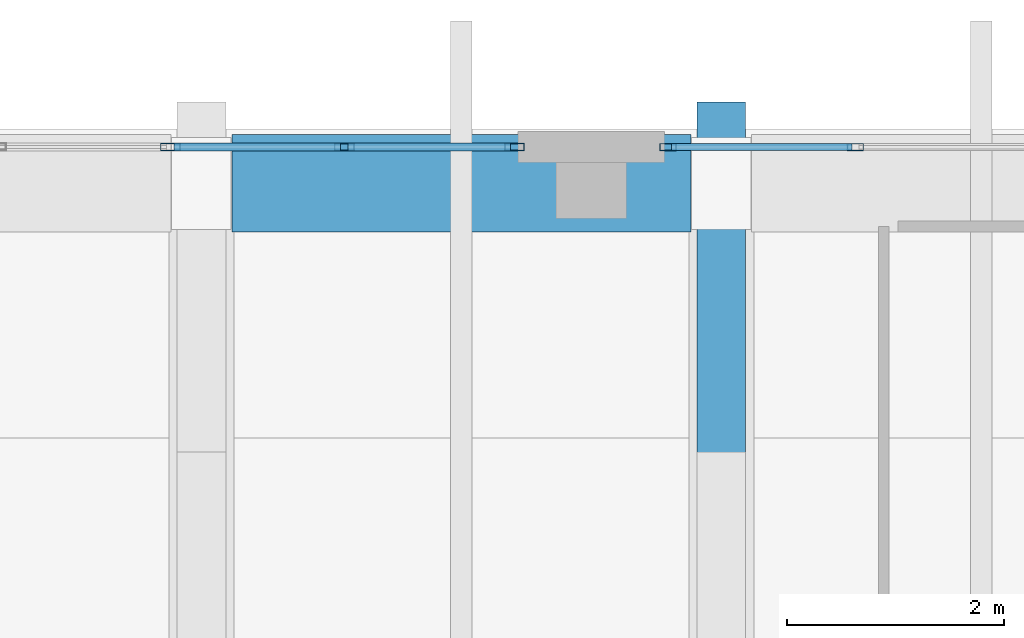
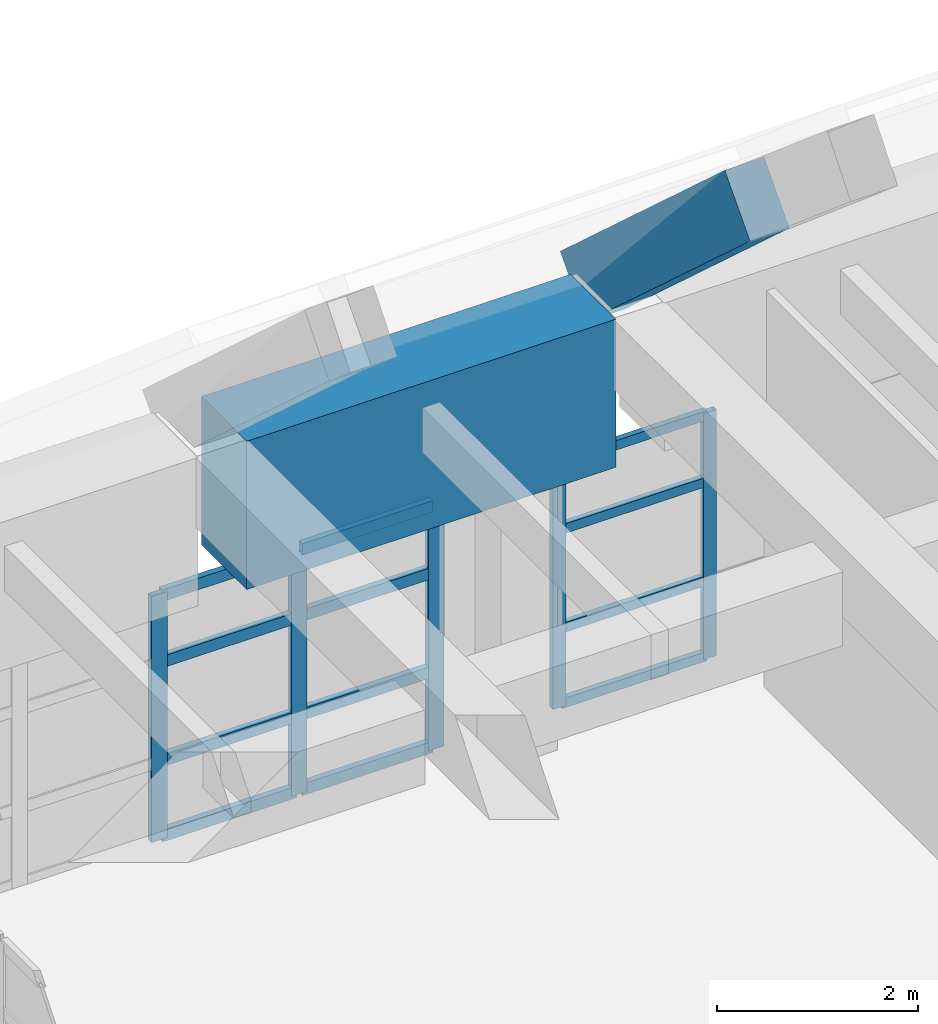
# One storey, part 38 of 78: 17 members, 2 beams, 2 elements without a shape of their own.
"""IFC4 building model written with IfcOpenShell, lengths in metres."""

from ifc_helpers import new_model, si_unit, direction, frame, origin, origin_2d, place, context, subcontext, project, spatial, rectangle, hollow_rectangle, extrude, material, layer, layer_set, material_profile, profile_set, type_object, element, aggregate, save


model = new_model("IFC4")

# Units and contexts
model_context = context("Model", 3, precision=1e-05, world=origin(), true_north=direction((0.0, 1.0)))
body_context = subcontext(model_context, "Body", "Model", "MODEL_VIEW")
ifc_project = project(units=[si_unit("LENGTHUNIT", "METRE"), si_unit("AREAUNIT", "SQUARE_METRE"), si_unit("VOLUMEUNIT", "CUBIC_METRE"), si_unit("PLANEANGLEUNIT", "RADIAN"), si_unit("MASSUNIT", "GRAM", prefix="KILO")], contexts=[model_context])

# Site, building, storey
site_placement = place(None, origin())
site = spatial("IfcSite", under=ifc_project, at=site_placement, CompositionType="ELEMENT")
building_placement = place(site_placement, origin())
building = spatial("IfcBuilding", under=site, at=building_placement, Name="Quendrovan Civic Courthouse", CompositionType="ELEMENT")
storey_placement = place(building_placement, frame((0.0, 0.0, 20.39990234375)))
storey = spatial("IfcBuildingStorey", under=building, at=storey_placement, Name="L05", CompositionType="ELEMENT", Elevation=20.39990234375)

# Beams
ifc_material_1 = material(Name="Concrete C45/55", Category="concrete")
ifc_material_profile_1 = material_profile(ifc_material_1, rectangle(XDim=0.89990234375, YDim=1.800048828125, at=origin_2d()), Name="RC-TG-900x1800")
ifc_profile_set_1 = profile_set([ifc_material_profile_1], Name="Concrete C45/55")
beam_type_1 = type_object("IfcBeamType", Name="BM-TG1800", PredefinedType="BEAM", material=ifc_profile_set_1)
beam_1_placement = place(storey_placement, frame((114.280029296875, 109.89990234375, 4.2001953125), z_axis=(1.0, 0.0, 0.0), x_axis=(0.0, 1.0, 0.0)))
element("IfcBeam", 1, at=beam_1_placement, inside=storey, type_object=beam_type_1, Name="BV1 Springing Collector Girder N-2", PredefinedType="BEAM", context=body_context, shape_type="SweptSolid", body=[
    extrude(rectangle(XDim=0.89990234375, YDim=1.800048828125, at=origin_2d()), origin(), (0.0, 0.0, 1.0), 4.239990234375),
])
ifc_material_2 = material(Name="Concrete C40/50", Category="concrete")
ifc_material_profile_2 = material_profile(ifc_material_2, rectangle(XDim=0.449951171875, YDim=0.75, at=origin_2d()), Name="RC-VRIB-450x750")
ifc_profile_set_2 = profile_set([ifc_material_profile_2], Name="Concrete C40/50")
beam_type_2 = type_object("IfcBeamType", Name="BM-VRIB750", PredefinedType="BEAM", material=ifc_profile_set_2)
beam_2_placement = place(storey_placement, frame((118.800048828125, 107.123291015625, 7.871826171875), z_axis=(0.0, 0.740733725172, -0.671798740988), x_axis=(-1.0, 0.0, 0.0)))
element("IfcBeam", 2, at=beam_2_placement, inside=storey, type_object=beam_type_2, Name="BV1 Concrete Vault Arch Rib A3-C8", PredefinedType="BEAM", context=body_context, shape_type="SweptSolid", body=[
    extrude(rectangle(XDim=0.449951171875, YDim=0.75, at=origin_2d()), origin(), (0.0, 0.0, 1.0), 4.423583984375),
])

# Curtain wall, members
ifc_material_3 = material(Name="Bronze anodised aluminium and low-E glass", Category="aluminium")
ifc_layer_1 = layer(ifc_material_3, 0.179931640625, Name="Bronze anodised aluminium and low-E glass")
ifc_layer_set_1 = layer_set([ifc_layer_1], Name="Bronze anodised aluminium and low-E glass")
curtain_wall_type_1 = type_object("IfcCurtainWallType", Name="CW-U64x30", PredefinedType="USERDEFINED", material=ifc_layer_set_1)
curtain_wall_1_placement = place(storey_placement, origin())
curtain_wall_1 = element("IfcCurtainWall", 3, at=curtain_wall_1_placement, inside=storey, type_object=curtain_wall_type_1, Name="L05 Unitised Hurricane Curtain Wall CW-192", ObjectType="UNITISED CURTAIN WALL", PredefinedType="USERDEFINED")
ifc_material_4 = material(Name="Bronze anodised aluminium", Category="aluminium")
ifc_material_profile_3 = material_profile(ifc_material_4, hollow_rectangle(XDim=0.070068359375, YDim=0.179931640625, WallThickness=0.00390625, at=origin_2d()), Name="CW-MULL-70x180")
ifc_profile_set_3 = profile_set([ifc_material_profile_3], Name="Bronze anodised aluminium")
member_type_1 = type_object("IfcMemberType", Name="CW-MULL-A", PredefinedType="MULLION", material=ifc_profile_set_3)
member_1_placement = place(storey_placement, frame((113.71240234375, 110.235107421875, 0.0), z_axis=(0.0, 0.0, 1.0), x_axis=(0.0, 1.0, 0.0)))
member_1 = element("IfcMember", 4, at=member_1_placement, type_object=member_type_1, Name="CW-192 mullion 3", PredefinedType="MULLION", context=body_context, shape_type="SweptSolid", body=[
    extrude(hollow_rectangle(XDim=0.070068359375, YDim=0.179931640625, WallThickness=0.00390625, at=origin_2d()), origin(), (0.0, 0.0, 1.0), 2.989990234375),
])
member_2_placement = place(storey_placement, frame((115.31884765625, 110.235107421875, 0.0), z_axis=(0.0, 0.0, 1.0), x_axis=(0.0, 1.0, 0.0)))
member_2 = element("IfcMember", 5, at=member_2_placement, type_object=member_type_1, Name="CW-192 mullion 4", PredefinedType="MULLION", context=body_context, shape_type="SweptSolid", body=[
    extrude(hollow_rectangle(XDim=0.070068359375, YDim=0.179931640625, WallThickness=0.00390625, at=origin_2d()), origin(), (0.0, 0.0, 1.0), 2.989990234375),
])
member_3_placement = place(storey_placement, frame((116.889892578125, 110.235107421875, 0.0), z_axis=(0.0, 0.0, 1.0), x_axis=(0.0, 1.0, 0.0)))
member_3 = element("IfcMember", 6, at=member_3_placement, type_object=member_type_1, Name="CW-192 mullion 5", PredefinedType="MULLION", context=body_context, shape_type="SweptSolid", body=[
    extrude(hollow_rectangle(XDim=0.070068359375, YDim=0.179931640625, WallThickness=0.00390625, at=origin_2d()), origin(), (0.0, 0.0, 1.0), 2.989990234375),
])

ifc_layer_2 = layer(ifc_material_3, 0.179931640625, Name="Bronze anodised aluminium and low-E glass")
ifc_layer_set_2 = layer_set([ifc_layer_2], Name="Bronze anodised aluminium and low-E glass")
curtain_wall_type_2 = type_object("IfcCurtainWallType", Name="CW-U70x30", PredefinedType="USERDEFINED", material=ifc_layer_set_2)
curtain_wall_2_placement = place(storey_placement, origin())
curtain_wall_2 = element("IfcCurtainWall", 7, at=curtain_wall_2_placement, inside=storey, type_object=curtain_wall_type_2, Name="L05 Unitised Hurricane Curtain Wall CW-193", ObjectType="UNITISED CURTAIN WALL", PredefinedType="USERDEFINED")
ifc_material_profile_4 = material_profile(ifc_material_4, hollow_rectangle(XDim=0.06494140625, YDim=0.14990234375, WallThickness=0.00390625, at=origin_2d()), Name="CW-MULL-65x150")
ifc_profile_set_4 = profile_set([ifc_material_profile_4], Name="Bronze anodised aluminium")
member_type_2 = type_object("IfcMemberType", Name="CW-MULL-B", PredefinedType="MULLION", material=ifc_profile_set_4)
member_4_placement = place(storey_placement, frame((118.3076171875, 110.235107421875, 0.0), z_axis=(0.0, 0.0, 1.0), x_axis=(0.0, 1.0, 0.0)))
member_4 = element("IfcMember", 8, at=member_4_placement, type_object=member_type_2, Name="CW-193 mullion 1", PredefinedType="MULLION", context=body_context, shape_type="SweptSolid", body=[
    extrude(hollow_rectangle(XDim=0.06494140625, YDim=0.14990234375, WallThickness=0.00390625, at=origin_2d()), origin(), (0.0, 0.0, 1.0), 2.989990234375),
])
member_5_placement = place(storey_placement, frame((120.03759765625, 110.235107421875, 0.0), z_axis=(0.0, 0.0, 1.0), x_axis=(0.0, 1.0, 0.0)))
member_5 = element("IfcMember", 9, at=member_5_placement, type_object=member_type_2, Name="CW-193 mullion 2", PredefinedType="MULLION", context=body_context, shape_type="SweptSolid", body=[
    extrude(hollow_rectangle(XDim=0.06494140625, YDim=0.14990234375, WallThickness=0.00390625, at=origin_2d()), origin(), (0.0, 0.0, 1.0), 2.989990234375),
])

# Member
ifc_material_profile_5 = material_profile(ifc_material_4, hollow_rectangle(XDim=0.070068359375, YDim=0.139892578125, WallThickness=0.00390625, at=origin_2d()), Name="CW-TRAN-70x140")
ifc_profile_set_5 = profile_set([ifc_material_profile_5], Name="Bronze anodised aluminium")
member_type_3 = type_object("IfcMemberType", Name="CW-TRAN-A", PredefinedType="USERDEFINED", material=ifc_profile_set_5)
member_6_placement = place(storey_placement, frame((113.74755859375, 110.235107421875, 0.03515625), z_axis=(1.0, 0.0, 0.0), x_axis=(0.0, 1.0, 0.0)))
member_6 = element("IfcMember", 10, at=member_6_placement, type_object=member_type_3, Name="CW-192 transom 3.1", ObjectType="TRANSOM", PredefinedType="USERDEFINED", context=body_context, shape_type="SweptSolid", body=[
    extrude(hollow_rectangle(XDim=0.070068359375, YDim=0.139892578125, WallThickness=0.00390625, at=origin_2d()), origin(), (0.0, 0.0, 1.0), 1.5361328125),
])

member_7_placement = place(storey_placement, frame((113.74755859375, 110.235107421875, 0.9501953125), z_axis=(1.0, 0.0, 0.0), x_axis=(0.0, 1.0, 0.0)))
member_7 = element("IfcMember", 11, at=member_7_placement, type_object=member_type_3, Name="CW-192 transom 3.2", ObjectType="TRANSOM", PredefinedType="USERDEFINED", context=body_context, shape_type="SweptSolid", body=[
    extrude(hollow_rectangle(XDim=0.070068359375, YDim=0.139892578125, WallThickness=0.00390625, at=origin_2d()), origin(), (0.0, 0.0, 1.0), 1.5361328125),
])

member_8_placement = place(storey_placement, frame((113.74755859375, 110.235107421875, 2.150146484375), z_axis=(1.0, 0.0, 0.0), x_axis=(0.0, 1.0, 0.0)))
member_8 = element("IfcMember", 12, at=member_8_placement, type_object=member_type_3, Name="CW-192 transom 3.3", ObjectType="TRANSOM", PredefinedType="USERDEFINED", context=body_context, shape_type="SweptSolid", body=[
    extrude(hollow_rectangle(XDim=0.070068359375, YDim=0.139892578125, WallThickness=0.00390625, at=origin_2d()), origin(), (0.0, 0.0, 1.0), 1.5361328125),
])

member_9_placement = place(storey_placement, frame((113.74755859375, 110.235107421875, 2.955078125), z_axis=(1.0, 0.0, 0.0), x_axis=(0.0, 1.0, 0.0)))
member_9 = element("IfcMember", 13, at=member_9_placement, type_object=member_type_3, Name="CW-192 transom 3.4", ObjectType="TRANSOM", PredefinedType="USERDEFINED", context=body_context, shape_type="SweptSolid", body=[
    extrude(hollow_rectangle(XDim=0.070068359375, YDim=0.139892578125, WallThickness=0.00390625, at=origin_2d()), origin(), (0.0, 0.0, 1.0), 1.5361328125),
])

member_10_placement = place(storey_placement, frame((115.353759765625, 110.235107421875, 0.03515625), z_axis=(1.0, 0.0, 0.0), x_axis=(0.0, 1.0, 0.0)))
member_10 = element("IfcMember", 14, at=member_10_placement, type_object=member_type_3, Name="CW-192 transom 4.1", ObjectType="TRANSOM", PredefinedType="USERDEFINED", context=body_context, shape_type="SweptSolid", body=[
    extrude(hollow_rectangle(XDim=0.070068359375, YDim=0.139892578125, WallThickness=0.00390625, at=origin_2d()), origin(), (0.0, 0.0, 1.0), 1.501220703125),
])

member_11_placement = place(storey_placement, frame((115.353759765625, 110.235107421875, 0.9501953125), z_axis=(1.0, 0.0, 0.0), x_axis=(0.0, 1.0, 0.0)))
member_11 = element("IfcMember", 15, at=member_11_placement, type_object=member_type_3, Name="CW-192 transom 4.2", ObjectType="TRANSOM", PredefinedType="USERDEFINED", context=body_context, shape_type="SweptSolid", body=[
    extrude(hollow_rectangle(XDim=0.070068359375, YDim=0.139892578125, WallThickness=0.00390625, at=origin_2d()), origin(), (0.0, 0.0, 1.0), 1.501220703125),
])

member_12_placement = place(storey_placement, frame((115.353759765625, 110.235107421875, 2.150146484375), z_axis=(1.0, 0.0, 0.0), x_axis=(0.0, 1.0, 0.0)))
member_12 = element("IfcMember", 16, at=member_12_placement, type_object=member_type_3, Name="CW-192 transom 4.3", ObjectType="TRANSOM", PredefinedType="USERDEFINED", context=body_context, shape_type="SweptSolid", body=[
    extrude(hollow_rectangle(XDim=0.070068359375, YDim=0.139892578125, WallThickness=0.00390625, at=origin_2d()), origin(), (0.0, 0.0, 1.0), 1.501220703125),
])

member_13_placement = place(storey_placement, frame((115.353759765625, 110.235107421875, 2.955078125), z_axis=(1.0, 0.0, 0.0), x_axis=(0.0, 1.0, 0.0)))
member_13 = element("IfcMember", 17, at=member_13_placement, type_object=member_type_3, Name="CW-192 transom 4.4", ObjectType="TRANSOM", PredefinedType="USERDEFINED", context=body_context, shape_type="SweptSolid", body=[
    extrude(hollow_rectangle(XDim=0.070068359375, YDim=0.139892578125, WallThickness=0.00390625, at=origin_2d()), origin(), (0.0, 0.0, 1.0), 1.501220703125),
])

aggregate(curtain_wall_1, [member_1, member_2, member_3, member_6, member_7, member_8, member_9, member_10, member_11, member_12, member_13])

ifc_material_profile_6 = material_profile(ifc_material_4, hollow_rectangle(XDim=0.06494140625, YDim=0.114990234375, WallThickness=0.00390625, at=origin_2d()), Name="CW-TRAN-65x115")
ifc_profile_set_6 = profile_set([ifc_material_profile_6], Name="Bronze anodised aluminium")
member_type_4 = type_object("IfcMemberType", Name="CW-TRAN-B", PredefinedType="USERDEFINED", material=ifc_profile_set_6)
member_14_placement = place(storey_placement, frame((118.340087890625, 110.235107421875, 0.03271484375), z_axis=(1.0, 0.0, 0.0), x_axis=(0.0, 1.0, 0.0)))
member_14 = element("IfcMember", 18, at=member_14_placement, type_object=member_type_4, Name="CW-193 transom 1.1", ObjectType="TRANSOM", PredefinedType="USERDEFINED", context=body_context, shape_type="SweptSolid", body=[
    extrude(hollow_rectangle(XDim=0.06494140625, YDim=0.114990234375, WallThickness=0.00390625, at=origin_2d()), origin(), (0.0, 0.0, 1.0), 1.664794921875),
])

member_15_placement = place(storey_placement, frame((118.340087890625, 110.235107421875, 0.9501953125), z_axis=(1.0, 0.0, 0.0), x_axis=(0.0, 1.0, 0.0)))
member_15 = element("IfcMember", 19, at=member_15_placement, type_object=member_type_4, Name="CW-193 transom 1.2", ObjectType="TRANSOM", PredefinedType="USERDEFINED", context=body_context, shape_type="SweptSolid", body=[
    extrude(hollow_rectangle(XDim=0.06494140625, YDim=0.114990234375, WallThickness=0.00390625, at=origin_2d()), origin(), (0.0, 0.0, 1.0), 1.664794921875),
])

member_16_placement = place(storey_placement, frame((118.340087890625, 110.235107421875, 2.150146484375), z_axis=(1.0, 0.0, 0.0), x_axis=(0.0, 1.0, 0.0)))
member_16 = element("IfcMember", 20, at=member_16_placement, type_object=member_type_4, Name="CW-193 transom 1.3", ObjectType="TRANSOM", PredefinedType="USERDEFINED", context=body_context, shape_type="SweptSolid", body=[
    extrude(hollow_rectangle(XDim=0.06494140625, YDim=0.114990234375, WallThickness=0.00390625, at=origin_2d()), origin(), (0.0, 0.0, 1.0), 1.664794921875),
])

member_17_placement = place(storey_placement, frame((118.340087890625, 110.235107421875, 2.95751953125), z_axis=(1.0, 0.0, 0.0), x_axis=(0.0, 1.0, 0.0)))
member_17 = element("IfcMember", 21, at=member_17_placement, type_object=member_type_4, Name="CW-193 transom 1.4", ObjectType="TRANSOM", PredefinedType="USERDEFINED", context=body_context, shape_type="SweptSolid", body=[
    extrude(hollow_rectangle(XDim=0.06494140625, YDim=0.114990234375, WallThickness=0.00390625, at=origin_2d()), origin(), (0.0, 0.0, 1.0), 1.664794921875),
])

aggregate(curtain_wall_2, [member_4, member_5, member_14, member_15, member_16, member_17])

save(model, "model.ifc")
